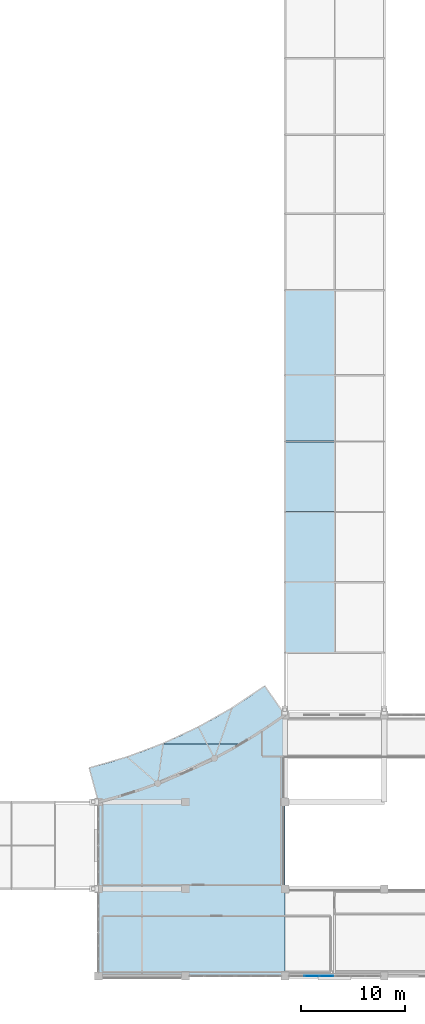
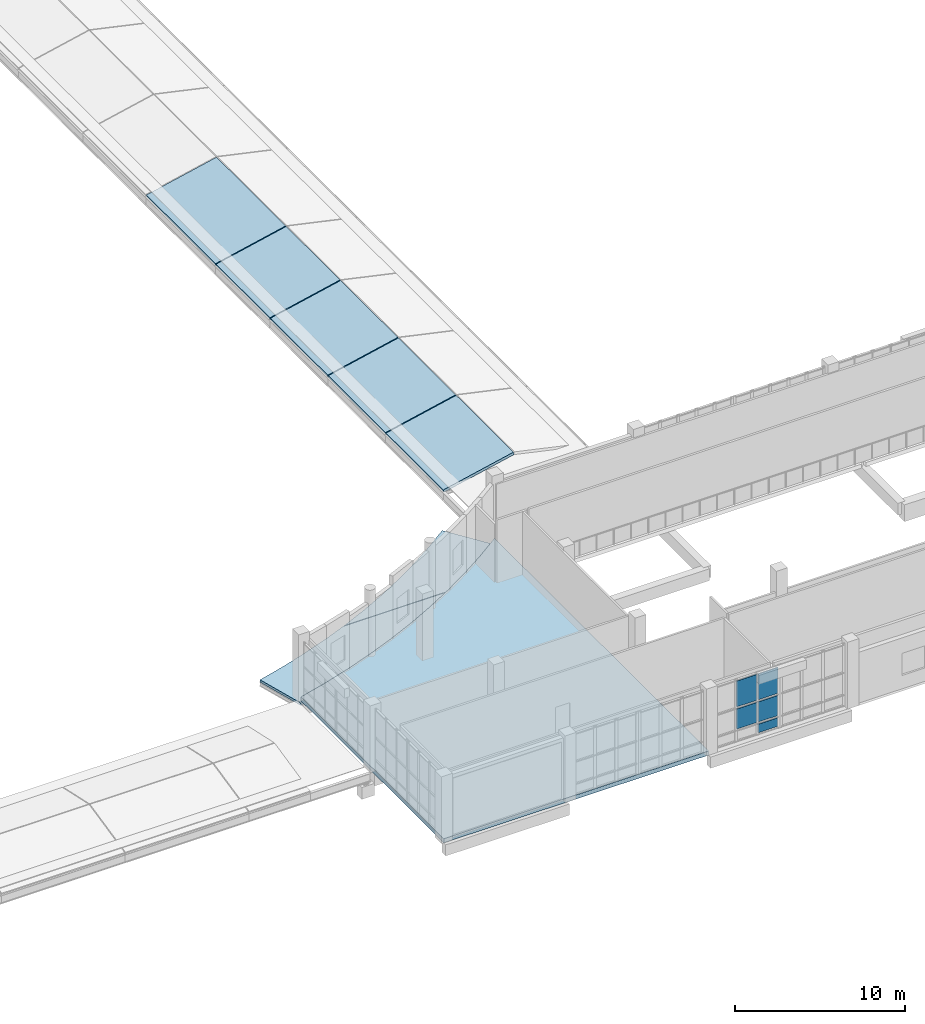
# One storey, part 68 of 106: 8 slabs, 5 plates, 1 element without a shape of its own.
"""IFC4 building model written with IfcOpenShell, lengths in metres."""

from ifc_helpers import new_model, si_unit, direction, frame, origin, origin_2d, place, context, subcontext, project, spatial, polyline, rectangle, outline, extrude, material, layer, layer_set, type_object, element, aggregate, save


model = new_model("IFC4")

# Units and contexts
model_context = context("Model", 3, precision=1e-05, world=origin(), true_north=direction((0.0, 1.0)))
body_context = subcontext(model_context, "Body", "Model", "MODEL_VIEW")
ifc_project = project(units=[si_unit("LENGTHUNIT", "METRE"), si_unit("AREAUNIT", "SQUARE_METRE"), si_unit("VOLUMEUNIT", "CUBIC_METRE"), si_unit("PLANEANGLEUNIT", "RADIAN"), si_unit("MASSUNIT", "GRAM", prefix="KILO")], contexts=[model_context])

# Site, building, storey
site_placement = place(None, origin())
site = spatial("IfcSite", under=ifc_project, at=site_placement, CompositionType="ELEMENT")
building_placement = place(site_placement, origin())
building = spatial("IfcBuilding", under=site, at=building_placement, Name="Kisaragi Civic Commons", CompositionType="ELEMENT")
storey_placement = place(building_placement, frame((0.0, 0.0, 4.800048828125)))
storey = spatial("IfcBuildingStorey", under=building, at=storey_placement, Name="L01", CompositionType="ELEMENT", Elevation=4.800048828125)

# Curtain wall, plates
ifc_material_1 = material(Name="Thermally broken anodized aluminium and low-E double glazing", Category="aluminium")
ifc_layer_1 = layer(ifc_material_1, 0.2099609375, Name="Thermally broken anodized aluminium and low-E double glazing", Category="aluminium")
ifc_layer_set_1 = layer_set([ifc_layer_1], Name="Thermally broken anodized aluminium and low-E double glazing")
curtain_wall_type = type_object("IfcCurtainWallType", Name="CW-02", PredefinedType="NOTDEFINED", material=ifc_layer_set_1)
curtain_wall_placement = place(storey_placement, origin())
curtain_wall = element("IfcCurtainWall", 1, at=curtain_wall_placement, inside=storey, type_object=curtain_wall_type, Name="L01 curtain wall CW-02 CW-V3-L01-032", PredefinedType="NOTDEFINED")
ifc_layer_2 = layer(ifc_material_1, 0.06396484375, Name="Thermally broken anodized aluminium and low-E double glazing", Category="aluminium")
ifc_layer_set_2 = layer_set([ifc_layer_2], Name="Thermally broken anodized aluminium and low-E double glazing")
plate_type = type_object("IfcPlateType", Name="CWP-04", PredefinedType="CURTAIN_PANEL", material=ifc_layer_set_2)
plate_1_placement = place(storey_placement, frame((127.6142578125, 0.0, 0.15966796875), z_axis=(0.0, 0.0, 1.0), x_axis=(-1.0, 0.0, 0.0)))
plate_1 = element("IfcPlate", 2, at=plate_1_placement, type_object=plate_type, Name="CW-02 panel 1.1", PredefinedType="CURTAIN_PANEL", context=body_context, shape_type="SweptSolid", body=[
    extrude(rectangle(XDim=1.3515625, YDim=0.06396484375, at=origin_2d()), origin(), (0.0, 0.0, 1.0), 0.610107421875),
])
plate_2_placement = place(storey_placement, frame((127.6142578125, 0.0, 0.929931640625), z_axis=(0.0, 0.0, 1.0), x_axis=(-1.0, 0.0, 0.0)))
plate_2 = element("IfcPlate", 3, at=plate_2_placement, type_object=plate_type, Name="CW-02 panel 1.2", PredefinedType="CURTAIN_PANEL", context=body_context, shape_type="SweptSolid", body=[
    extrude(rectangle(XDim=1.3515625, YDim=0.06396484375, at=origin_2d()), origin(), (0.0, 0.0, 1.0), 1.43994140625),
])
plate_3_placement = place(storey_placement, frame((127.6142578125, 0.0, 2.52978515625), z_axis=(0.0, 0.0, 1.0), x_axis=(-1.0, 0.0, 0.0)))
plate_3 = element("IfcPlate", 4, at=plate_3_placement, type_object=plate_type, Name="CW-02 panel 1.3", PredefinedType="CURTAIN_PANEL", context=body_context, shape_type="SweptSolid", body=[
    extrude(rectangle(XDim=1.3515625, YDim=0.06396484375, at=origin_2d()), origin(), (0.0, 0.0, 1.0), 1.85009765625),
])
plate_4_placement = place(storey_placement, frame((126.175048828125, 0.0, 0.929931640625), z_axis=(0.0, 0.0, 1.0), x_axis=(-1.0, 0.0, 0.0)))
plate_4 = element("IfcPlate", 5, at=plate_4_placement, type_object=plate_type, Name="CW-02 panel 2.2", PredefinedType="CURTAIN_PANEL", context=body_context, shape_type="SweptSolid", body=[
    extrude(rectangle(XDim=1.38671875, YDim=0.06396484375, at=origin_2d()), origin(), (0.0, 0.0, 1.0), 1.43994140625),
])
plate_5_placement = place(storey_placement, frame((126.175048828125, 0.0, 2.52978515625), z_axis=(0.0, 0.0, 1.0), x_axis=(-1.0, 0.0, 0.0)))
plate_5 = element("IfcPlate", 6, at=plate_5_placement, type_object=plate_type, Name="CW-02 panel 2.3", PredefinedType="CURTAIN_PANEL", context=body_context, shape_type="SweptSolid", body=[
    extrude(rectangle(XDim=1.38671875, YDim=0.06396484375, at=origin_2d()), origin(), (0.0, 0.0, 1.0), 1.85009765625),
])
aggregate(curtain_wall, [plate_1, plate_2, plate_3, plate_4, plate_5])

# Slabs
ifc_material_2 = material(Name="Concrete Fc30", Category="concrete")
ifc_layer_3 = layer(ifc_material_2, 0.2919921875, Name="Concrete Fc30", Category="concrete")
ifc_layer_set_3 = layer_set([ifc_layer_3], Name="Concrete Fc30")
slab_type_1 = type_object("IfcSlabType", Name="SL-F1B", PredefinedType="FLOOR", material=ifc_layer_set_3)
slab_1_placement = place(storey_placement, frame((0.0, 0.0, -0.2919921875)))
element("IfcSlab", 7, at=slab_1_placement, inside=storey, type_object=slab_type_1, Name="V3 L01 slab SL-F1B 25", PredefinedType="FLOOR", context=body_context, shape_type="SweptSolid", body=[
    extrude(outline(polyline([(105.60009765625, 16.800048828125), (105.60009765625, 0.0), (123.60009765625, 0.0), (123.60009765625, 8.39990234375), (123.60009765625, 21.0), (123.60009765625, 25.199951171875), (121.96142578125, 24.055908203125), (120.280029296875, 22.975341796875), (118.55859375, 21.96044921875), (116.79931640625, 21.01220703125), (115.0048828125, 20.132568359375), (113.177978515625, 19.322509765625), (111.3212890625, 18.5830078125), (109.4375, 17.91552734375), (107.529296875, 17.32080078125), (105.60009765625, 16.800048828125)])), origin(), (0.0, 0.0, 1.0), 0.2919921875),
])
ifc_layer_4 = layer(ifc_material_2, 0.18994140625, Name="Concrete Fc30", Category="concrete")
ifc_layer_set_4 = layer_set([ifc_layer_4], Name="Concrete Fc30")
slab_type_2 = type_object("IfcSlabType", Name="SL-RF2", PredefinedType="ROOF", material=ifc_layer_set_4)
for number, where, z_axis, x_axis, name in (
    (8, (123.60009765625, 31.22998046875, -0.18994140625), (-0.214272349937, 0.0, 0.976773955454), (0.976773955454, 0.0, 0.214272349937), "BR-V4-V3 gable roof facet 13"),
    (9, (123.60009765625, 38.030029296875, -0.18994140625), (-0.214272349937, 0.0, 0.976773955454), (0.976773955454, 0.0, 0.214272349937), "BR-V4-V3 gable roof facet 15"),
    (10, (123.60009765625, 44.830078125, -0.18994140625), (-0.214272349937, 0.0, 0.976773955454), (0.976773955454, 0.0, 0.214272349937), "BR-V4-V3 gable roof facet 17"),
):
    element("IfcSlab", number, at=place(storey_placement, frame(where, z_axis=z_axis, x_axis=x_axis)), inside=storey, type_object=slab_type_2, Name=name, PredefinedType="ROOF", context=body_context, shape_type="SweptSolid", body=[
        extrude(outline(polyline([(0.0, 0.0), (4.883442586299429, 0.0), (4.883442586299429, 6.739990234375), (0.0, 6.739990234375), (0.0, 0.0)])), origin(), (0.0, 0.0, -1.0), 0.18994140625),
    ])
slab_2_placement = place(storey_placement, frame((123.60009765625, 51.6298828125, -0.18994140625), z_axis=(-0.214272349937, 0.0, 0.976773955454), x_axis=(0.976773955454, 0.0, 0.214272349937)))
element("IfcSlab", 11, at=slab_2_placement, inside=storey, type_object=slab_type_2, Name="BR-V4-V3 gable roof facet 19", PredefinedType="ROOF", context=body_context, shape_type="SweptSolid", body=[
    extrude(outline(polyline([(0.0, 0.0), (4.883442586299429, 0.0), (4.883442586299429, 6.340087890624999), (0.0, 6.340087890624999), (0.0, 0.0)])), origin(), (0.0, 0.0, -1.0), 0.18994140625),
])
slab_3_placement = place(storey_placement, frame((123.60009765625, 58.030029296875, -0.18994140625), z_axis=(-0.214272349937, 0.0, 0.976773955454), x_axis=(0.976773955454, 0.0, 0.214272349937)))
element("IfcSlab", 12, at=slab_3_placement, inside=storey, type_object=slab_type_2, Name="BR-V4-V3 gable roof facet 21", PredefinedType="ROOF", context=body_context, shape_type="SweptSolid", body=[
    extrude(outline(polyline([(0.0, 0.0), (4.883442586299429, 0.0), (4.883442586299429, 8.139892578124998), (0.0, 8.139892578124998), (0.0, 0.0)])), origin(), (0.0, 0.0, -1.0), 0.18994140625),
])
ifc_layer_5 = layer(ifc_material_2, 0.175048828125, Name="Concrete Fc30", Category="concrete")
ifc_layer_set_5 = layer_set([ifc_layer_5], Name="Concrete Fc30")
slab_type_3 = type_object("IfcSlabType", Name="SL-RF3", PredefinedType="ROOF", material=ifc_layer_set_5)
slab_4_placement = place(storey_placement, frame((0.0, 0.0, -0.625)))
element("IfcSlab", 13, at=slab_4_placement, inside=storey, type_object=slab_type_3, Name="VER-V3 engawa veranda roof slab 1", PredefinedType="ROOF", context=body_context, shape_type="SweptSolid", body=[
    extrude(outline(polyline([(104.7138671875, 20.08251953125), (105.59619140625, 16.814453125), (107.525146484375, 17.335205078125), (109.4326171875, 17.9296875), (111.31591796875, 18.596923828125), (113.172119140625, 19.336181640625), (114.99853515625, 20.14599609375), (116.79248046875, 21.025634765625), (118.55126953125, 21.973388671875), (119.259521484375, 22.39111328125), (111.6953125, 22.39111328125), (110.124267578125, 21.765380859375), (108.363525390625, 21.1416015625), (106.580322265625, 20.585693359375), (104.7138671875, 20.08251953125)])), origin(), (0.0, 0.0, 1.0), 0.175048828125),
])
slab_5_placement = place(storey_placement, frame((0.0, 0.0, -0.625)))
element("IfcSlab", 14, at=slab_5_placement, inside=storey, type_object=slab_type_3, Name="VER-V3 engawa veranda roof slab 2", PredefinedType="ROOF", context=body_context, shape_type="SweptSolid", body=[
    extrude(outline(polyline([(111.74560546875, 22.410888671875), (119.293212890625, 22.410888671875), (120.272216796875, 22.98828125), (121.953125, 24.068359375), (123.59130859375, 25.21240234375), (123.59130859375, 25.21240234375), (121.6533203125, 27.987548828125), (120.06884765625, 26.88037109375), (118.497314453125, 25.87060546875), (116.888427734375, 24.921875), (115.244140625, 24.035888671875), (113.56689453125, 23.213623046875), (111.859619140625, 22.456298828125), (111.74560546875, 22.410888671875)])), origin(), (0.0, 0.0, 1.0), 0.175048828125),
])

save(model, "model.ifc")
